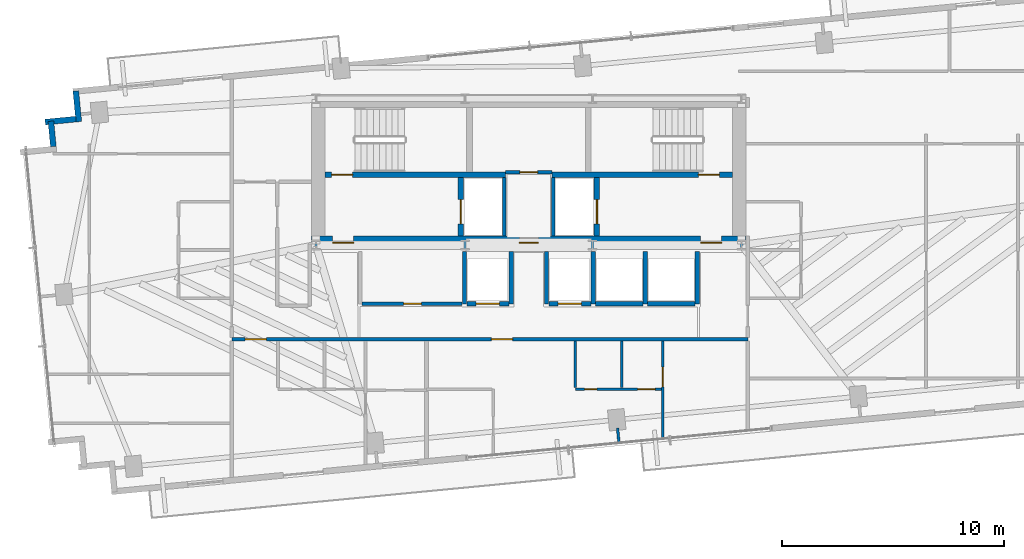
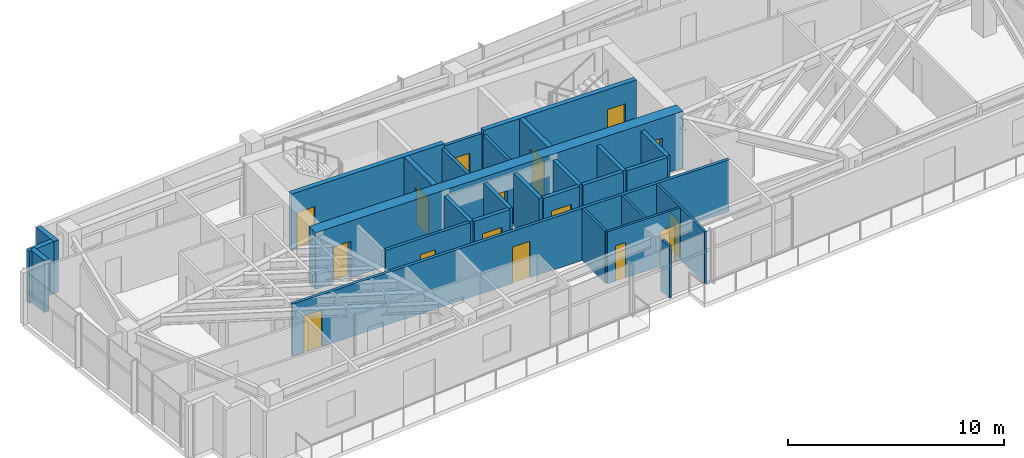
# One storey, part 14 of 18: 28 walls, 16 doors, 16 openings.
"""IFC4 building model written with IfcOpenShell, lengths in metres."""

import ifcopenshell
import ifcopenshell.guid

model = None  # the IFC model being written
_history = None  # IfcOwnerHistory: only IFC2X3 demands one
_inside = {}  # id of a spatial element -> (the spatial element, [elements in it])
_under = {}  # id of a project, library or spatial element -> (it, [spatial elements below it])
_declared = {}  # id of a project -> (the project, [libraries it declares])
_typed = {}  # id of a type object -> (the type object, [elements of that type])
_made_of = {}  # id of a material, layer set ... -> (it, [elements and type objects made of it])


def new_model(schema):
    """Start an empty IFC model of exactly this schema.

    Asked for "IFC4X3", IfcOpenShell would pick the latest addendum, in which some entities
    have other attributes; the version numbers below select the first issue.
    IFC2X3 requires an IfcOwnerHistory on every rooted entity: one is made here for all.
    """
    global model, _history
    if schema == "IFC4X3":
        model = ifcopenshell.file(schema_version=(4, 3, 0, 0))
    else:
        model = ifcopenshell.file(schema=schema)
    _inside.clear()
    _under.clear()
    _declared.clear()
    _typed.clear()
    _made_of.clear()
    _history = None
    if model.schema == "IFC2X3":
        org = make("IfcOrganization", Name="unknown")
        user = make(
            "IfcPersonAndOrganization",
            ThePerson=make("IfcPerson", FamilyName="unknown"),
            TheOrganization=org,
        )
        app = make(
            "IfcApplication",
            ApplicationDeveloper=org,
            Version="unknown",
            ApplicationFullName="unknown",
            ApplicationIdentifier="unknown",
        )
        _history = make(
            "IfcOwnerHistory",
            OwningUser=user,
            OwningApplication=app,
            ChangeAction="ADDED",
            CreationDate=0,
        )
    return model


def make(cls, **values):
    """One entity of the class cls with the attributes given. An attribute that is None is left unset."""
    return model.create_entity(
        cls, **{name: value for name, value in values.items() if value is not None}
    )


def rooted(cls, **values):
    """An entity with a GlobalId (a new one), such as an element, a storey or a relation."""
    return make(cls, GlobalId=ifcopenshell.guid.new(), OwnerHistory=_history, **values)


def si_unit(unit_type, name, prefix=None):
    """IfcSIUnit, for example si_unit("LENGTHUNIT", "METRE", prefix="MILLI")."""
    return make("IfcSIUnit", UnitType=unit_type, Prefix=prefix, Name=name)


def assignment(units):
    """IfcUnitAssignment: the units of a project."""
    return None if units is None else make("IfcUnitAssignment", Units=units)


def point(xyz):
    """IfcCartesianPoint."""
    return None if xyz is None else make("IfcCartesianPoint", Coordinates=xyz)


def direction(xyz):
    """IfcDirection."""
    return None if xyz is None else make("IfcDirection", DirectionRatios=xyz)


def frame(location, z_axis=None, x_axis=None):
    """IfcAxis2Placement3D, a coordinate frame: its origin and axes. An axis left out is left unset."""
    return make(
        "IfcAxis2Placement3D",
        Location=point(location),
        Axis=direction(z_axis),
        RefDirection=direction(x_axis),
    )


def frame_2d(location, x_axis=None):
    """IfcAxis2Placement2D, a coordinate frame in the plane: its origin and x axis."""
    return make(
        "IfcAxis2Placement2D", Location=point(location), RefDirection=direction(x_axis)
    )


def origin():
    """The frame at (0, 0, 0) with its axes left unset."""
    return frame((0.0, 0.0, 0.0))


def place(relative_to, where):
    """IfcLocalPlacement: puts the frame where relative to a parent placement (None: the world)."""
    return make(
        "IfcLocalPlacement", PlacementRelTo=relative_to, RelativePlacement=where
    )


def context(
    kind, dimensions, precision=None, world=None, true_north=None, identifier=None
):
    """IfcGeometricRepresentationContext, for example the 3D "Model" context."""
    return make(
        "IfcGeometricRepresentationContext",
        ContextIdentifier=identifier,
        ContextType=kind,
        CoordinateSpaceDimension=dimensions,
        Precision=precision,
        WorldCoordinateSystem=world,
        TrueNorth=true_north,
    )


def subcontext(parent, identifier, kind, view, scale=None):
    """IfcGeometricRepresentationSubContext, for example "Body" below "Model"."""
    return make(
        "IfcGeometricRepresentationSubContext",
        ContextIdentifier=identifier,
        ContextType=kind,
        ParentContext=parent,
        TargetScale=scale,
        TargetView=view,
    )


def project(units=None, contexts=None):
    """IfcProject with its units and contexts."""
    return rooted(
        "IfcProject",
        Name="project",
        RepresentationContexts=contexts,
        UnitsInContext=assignment(units),
    )


def spatial(cls, under=None, at=None, **own):
    """A site, building, storey or space (cls), placed at a placement, below another one or the project."""
    s = rooted(cls, ObjectPlacement=at, **own)
    if under is not None:
        _under.setdefault(under.id(), (under, []))[1].append(s)
    return s


def profile(cls, at=None, kind="AREA", **sizes):
    """A parametric profile (cls). Its sizes go by their IFC names, for example OverallWidth=200.0."""
    return make(cls, ProfileType=kind, Position=at, **sizes)


def rectangle(**sizes):
    """IfcRectangleProfileDef."""
    return profile("IfcRectangleProfileDef", **sizes)


def extrude(swept, where, along, depth):
    """IfcExtrudedAreaSolid: the profile swept, set in the frame where, extruded along a direction by depth."""
    return make(
        "IfcExtrudedAreaSolid",
        SweptArea=swept,
        Position=where,
        ExtrudedDirection=direction(along),
        Depth=depth,
    )


def shape(context_of_items, identifier, shape_type, items):
    """IfcShapeRepresentation: the items that make up one representation, for example the "Body"."""
    return make(
        "IfcShapeRepresentation",
        ContextOfItems=context_of_items,
        RepresentationIdentifier=identifier,
        RepresentationType=shape_type,
        Items=items,
    )


def source(mapping_origin, context_of_items, identifier, shape_type, items):
    """IfcRepresentationMap: a shape defined once, which mapped items show again and again."""
    return make(
        "IfcRepresentationMap",
        MappingOrigin=mapping_origin,
        MappedRepresentation=shape(context_of_items, identifier, shape_type, items),
    )


def transform(
    local_origin,
    x_axis=None,
    y_axis=None,
    z_axis=None,
    scale=None,
    scale2=None,
    scale3=None,
    uniform=True,
):
    """IfcCartesianTransformationOperator3D, or its non-uniform kind. x_axis, y_axis, z_axis: its Axis1, 2, 3."""
    if uniform:
        return make(
            "IfcCartesianTransformationOperator3D",
            Axis1=direction(x_axis),
            Axis2=direction(y_axis),
            LocalOrigin=point(local_origin),
            Scale=scale,
            Axis3=direction(z_axis),
        )
    return make(
        "IfcCartesianTransformationOperator3DnonUniform",
        Axis1=direction(x_axis),
        Axis2=direction(y_axis),
        LocalOrigin=point(local_origin),
        Scale=scale,
        Axis3=direction(z_axis),
        Scale2=scale2,
        Scale3=scale3,
    )


def mapped(mapping_source, mapping_target):
    """IfcMappedItem: shows the shape of a source again, moved by a transform."""
    return make(
        "IfcMappedItem", MappingSource=mapping_source, MappingTarget=mapping_target
    )


def material(Name=None, Category=None):
    """IfcMaterial."""
    return make("IfcMaterial", Name=Name, Category=Category)


def layer(
    of_material, thickness, ventilated=None, Name=None, Category=None, Priority=None
):
    """IfcMaterialLayer: one layer of a wall or slab, of a material (None: an air gap)."""
    return make(
        "IfcMaterialLayer",
        Material=of_material,
        LayerThickness=thickness,
        IsVentilated=ventilated,
        Name=Name,
        Category=Category,
        Priority=Priority,
    )


def layer_set(layers, Name=None):
    """IfcMaterialLayerSet."""
    return make("IfcMaterialLayerSet", MaterialLayers=layers, LayerSetName=Name)


def made_of(thing, what):
    """Note that an element or type object is made of a material, layer set ...; save() writes the relation."""
    if what is not None:
        _made_of.setdefault(what.id(), (what, []))[1].append(thing)
    return thing


def type_object(cls, material=None, **own):
    """A type object (cls), such as IfcWallType, which elements share."""
    return made_of(rooted(cls, **own), material)


def type_shapes(of_type, sources):
    """Give a type object the sources (RepresentationMaps) that its elements show as mapped items."""
    of_type.RepresentationMaps = sources


def element(
    cls,
    number,
    at=None,
    inside=None,
    cuts=None,
    type_object=None,
    material=None,
    context=None,
    identifier="Body",
    shape_type=None,
    held_by="IfcProductDefinitionShape",
    body=None,
    shapes=None,
    **own,
):
    """One element of the class cls, such as IfcWall. Its Tag is "e" and its number.

    at: its placement. inside: the storey or other place that contains it. cuts: it is an
    opening in that element (IfcRelVoidsElement). A single representation is given by context,
    identifier, shape_type and body (its items); several are given by shapes. held_by: the class
    of the entity that holds the representations. save() writes the other relations.
    """
    e = rooted(cls, Tag="e%d" % number, ObjectPlacement=at, **own)
    if body is not None:
        shapes = [shape(context, identifier, shape_type, body)]
    if shapes is not None:
        e.Representation = make(held_by, Representations=shapes)
    if inside is not None:
        _inside.setdefault(inside.id(), (inside, []))[1].append(e)
    if cuts is not None:
        rooted(
            "IfcRelVoidsElement", RelatingBuildingElement=cuts, RelatedOpeningElement=e
        )
    if type_object is not None:
        _typed.setdefault(type_object.id(), (type_object, []))[1].append(e)
    return made_of(e, material)


def fill(opening, filler):
    """IfcRelFillsElement: the door or window that sits in an opening."""
    return rooted(
        "IfcRelFillsElement",
        RelatingOpeningElement=opening,
        RelatedBuildingElement=filler,
    )


def aggregate(whole, parts):
    """IfcRelAggregates: a whole, such as a stair, and the parts it consists of."""
    return rooted("IfcRelAggregates", RelatingObject=whole, RelatedObjects=parts)


def save(model, path):
    """Write the relations noted so far, then the file.

    IfcRelAggregates (storeys below a building ...), IfcRelContainedInSpatialStructure (elements
    in a storey), IfcRelDefinesByType, IfcRelAssociatesMaterial and IfcRelDeclares: one each for
    every whole, place, type object, material and project.
    """
    for whole, parts in _under.values():
        aggregate(whole, parts)
    for where, things in _inside.values():
        rooted(
            "IfcRelContainedInSpatialStructure",
            RelatedElements=things,
            RelatingStructure=where,
        )
    for kind, things in _typed.values():
        rooted("IfcRelDefinesByType", RelatedObjects=things, RelatingType=kind)
    for what, things in _made_of.values():
        rooted("IfcRelAssociatesMaterial", RelatedObjects=things, RelatingMaterial=what)
    for by, libraries in _declared.values():
        rooted("IfcRelDeclares", RelatingContext=by, RelatedDefinitions=libraries)
    model.write(path)


model = new_model("IFC4")

# Units and contexts
model_context = context("Model", 3, precision=1e-05, world=origin(), true_north=direction((0.0, 1.0)))
body_context = subcontext(model_context, "Body", "Model", "MODEL_VIEW")
ifc_project = project(units=[si_unit("LENGTHUNIT", "METRE"), si_unit("AREAUNIT", "SQUARE_METRE"), si_unit("VOLUMEUNIT", "CUBIC_METRE"), si_unit("PLANEANGLEUNIT", "RADIAN"), si_unit("MASSUNIT", "GRAM", prefix="KILO")], contexts=[model_context])

# Site, building, storey
site_placement = place(None, origin())
site = spatial("IfcSite", under=ifc_project, at=site_placement, CompositionType="ELEMENT")
building_placement = place(site_placement, origin())
building = spatial("IfcBuilding", under=site, at=building_placement, Name="Astriad Promenade Condominiums", CompositionType="ELEMENT")
storey_placement = place(building_placement, frame((0.0, 0.0, 176.199951171875)))
storey = spatial("IfcBuildingStorey", under=building, at=storey_placement, Name="L50", CompositionType="ELEMENT", Elevation=176.199951171875)

# Wall, openings, doors
ifc_material_1 = material(Name="Concrete C50/60", Category="concrete")
ifc_layer_1 = layer(ifc_material_1, 0.60009765625)
ifc_layer_set_1 = layer_set([ifc_layer_1], Name="Concrete C50/60")
wall_type_1 = type_object("IfcWallType", Name="CW-SHEAR-600", PredefinedType="SHEAR", material=ifc_layer_set_1)
wall_1_placement = place(storey_placement, frame((26.199951171875, 17.5, 0.0), z_axis=(0.0, 0.0, 1.0), x_axis=(1.0, 0.0, 0.0)))
wall_1 = element("IfcWall", 1, at=wall_1_placement, inside=storey, type_object=wall_type_1, Name="CW-CORE-S-L50", PredefinedType="SHEAR", context=body_context, shape_type="SweptSolid", body=[
    extrude(rectangle(XDim=19.60009765625, YDim=0.60009765625, at=frame_2d((9.800048828125, 0.0))), origin(), (0.0, 0.0, 1.0), 3.199951171875),
])
opening_1_placement = place(wall_1_placement, frame((0.949951171875, 0.0, 0.0)))
opening_1 = element("IfcOpeningElement", 2, at=opening_1_placement, cuts=wall_1, Name="Opening FD90-ST-095", PredefinedType="OPENING", context=body_context, shape_type="SweptSolid", body=[
    extrude(rectangle(XDim=0.949951171875, YDim=2.06005859375, at=frame_2d((0.47509765625, 1.030029296875))), frame((0.0, 0.31005859375, 0.0), z_axis=(0.0, -1.0, 0.0), x_axis=(1.0, 0.0, 0.0)), (0.0, 0.0, 1.0), 0.6201171875),
])
opening_2_placement = place(wall_1_placement, frame((9.3798828125, 0.0, 0.0)))
opening_2 = element("IfcOpeningElement", 3, at=opening_2_placement, cuts=wall_1, Name="Opening FD60-ULOW-085", PredefinedType="OPENING", context=body_context, shape_type="SweptSolid", body=[
    extrude(rectangle(XDim=0.85009765625, YDim=2.0, at=frame_2d((0.425048828125, 1.0))), frame((0.0, 0.31005859375, 0.0), z_axis=(0.0, -1.0, 0.0), x_axis=(1.0, 0.0, 0.0)), (0.0, 0.0, 1.0), 0.6201171875),
])
opening_3_placement = place(wall_1_placement, frame((17.550048828125, 0.0, 0.0)))
opening_3 = element("IfcOpeningElement", 4, at=opening_3_placement, cuts=wall_1, Name="Opening FD90-ST-095", PredefinedType="OPENING", context=body_context, shape_type="SweptSolid", body=[
    extrude(rectangle(XDim=0.949951171875, YDim=2.06005859375, at=frame_2d((0.47509765625, 1.030029296875))), frame((0.0, 0.31005859375, 0.0), z_axis=(0.0, -1.0, 0.0), x_axis=(1.0, 0.0, 0.0)), (0.0, 0.0, 1.0), 0.6201171875),
])
ifc_material_2 = material(Name="Fire-Rated Hollow Metal Stair Door")
door_type_1 = type_object("IfcDoorType", Name="FD90-ST-095", OperationType="NOTDEFINED", PredefinedType="DOOR", material=ifc_material_2)
shared_shape_1 = source(origin(), body_context, "Body", "SweptSolid", [
    extrude(rectangle(XDim=0.949951171875, YDim=2.06005859375, at=frame_2d((0.47509765625, 1.030029296875))), frame((0.0, 0.02490234375, 0.0), z_axis=(0.0, -1.0, 0.0), x_axis=(1.0, 0.0, 0.0)), (0.0, 0.0, 1.0), 0.050048828125),
])
type_shapes(door_type_1, [shared_shape_1])
door_1_placement = place(opening_1_placement, origin())
door_1 = element("IfcDoor", 5, at=door_1_placement, inside=storey, type_object=door_type_1, Name="D-FFW-L50", OperationType="SINGLE_SWING_LEFT", OverallHeight=2.06005859375, OverallWidth=0.949951171875, PredefinedType="DOOR", context=body_context, shape_type="MappedRepresentation", body=[
    mapped(shared_shape_1, transform((0.0, 0.0, 0.0), scale=1.0)),
])
fill(opening_1, door_1)
door_2_placement = place(opening_3_placement, origin())
door_2 = element("IfcDoor", 6, at=door_2_placement, inside=storey, type_object=door_type_1, Name="D-FFE-L50", OperationType="SINGLE_SWING_RIGHT", OverallHeight=2.06005859375, OverallWidth=0.949951171875, PredefinedType="DOOR", context=body_context, shape_type="MappedRepresentation", body=[
    mapped(shared_shape_1, transform((0.0, 0.0, 0.0), scale=1.0)),
])
fill(opening_3, door_2)
ifc_material_3 = material(Name="Solid-Core Low-Headroom Fire Door")
door_type_2 = type_object("IfcDoorType", Name="FD60-ULOW-085", OperationType="NOTDEFINED", PredefinedType="DOOR", material=ifc_material_3)
shared_shape_2 = source(origin(), body_context, "Body", "SweptSolid", [
    extrude(rectangle(XDim=0.85009765625, YDim=2.0, at=frame_2d((0.425048828125, 1.0))), frame((0.0, 0.02490234375, 0.0), z_axis=(0.0, -1.0, 0.0), x_axis=(1.0, 0.0, 0.0)), (0.0, 0.0, 1.0), 0.050048828125),
])
type_shapes(door_type_2, [shared_shape_2])
door_3_placement = place(opening_2_placement, origin())
door_3 = element("IfcDoor", 7, at=door_3_placement, inside=storey, type_object=door_type_2, Name="D-CSL-L50", OperationType="SINGLE_SWING_RIGHT", OverallHeight=2.0, OverallWidth=0.85009765625, PredefinedType="DOOR", context=body_context, shape_type="MappedRepresentation", body=[
    mapped(shared_shape_2, transform((0.0, 0.0, 0.0), scale=1.0)),
])
fill(opening_2, door_3)

# Wall, opening, door
ifc_layer_2 = layer(ifc_material_1, 0.25)
ifc_layer_set_2 = layer_set([ifc_layer_2], Name="Concrete C50/60")
wall_type_2 = type_object("IfcWallType", Name="WALL-CORE-INT-250", PredefinedType="SOLIDWALL", material=ifc_layer_set_2)
wall_2_placement = place(storey_placement, frame((26.802001953125, 20.574951171875, 0.0), z_axis=(0.0, 0.0, 1.0), x_axis=(1.0, 0.0, 0.0)))
wall_2 = element("IfcWall", 8, at=wall_2_placement, inside=storey, type_object=wall_type_2, Name="CW-INT-H1-L50", PredefinedType="SOLIDWALL", context=body_context, shape_type="SweptSolid", body=[
    extrude(rectangle(XDim=8.14794921875, YDim=0.25, at=frame_2d((4.073974609375, 0.0))), origin(), (0.0, 0.0, 1.0), 3.199951171875),
])
opening_4_placement = place(wall_2_placement, frame((0.298095703125, 0.0, 0.0)))
opening_4 = element("IfcOpeningElement", 9, at=opening_4_placement, cuts=wall_2, Name="Opening FD90-ST-095", PredefinedType="OPENING", context=body_context, shape_type="SweptSolid", body=[
    extrude(rectangle(XDim=0.949951171875, YDim=2.06005859375, at=frame_2d((0.47509765625, 1.030029296875))), frame((0.0, 0.135009765625, 0.0), z_axis=(0.0, -1.0, 0.0), x_axis=(1.0, 0.0, 0.0)), (0.0, 0.0, 1.0), 0.27001953125),
])
door_4_placement = place(opening_4_placement, origin())
door_4 = element("IfcDoor", 10, at=door_4_placement, inside=storey, type_object=door_type_1, Name="D-ST1-L50", OperationType="SINGLE_SWING_LEFT", OverallHeight=2.06005859375, OverallWidth=0.949951171875, PredefinedType="DOOR", context=body_context, shape_type="MappedRepresentation", body=[
    mapped(shared_shape_1, transform((0.0, 0.0, 0.0), scale=1.0)),
])
fill(opening_4, door_4)

wall_3_placement = place(storey_placement, frame((37.050048828125, 20.574951171875, 0.0), z_axis=(0.0, 0.0, 1.0), x_axis=(1.0, 0.0, 0.0)))
wall_3 = element("IfcWall", 11, at=wall_3_placement, inside=storey, type_object=wall_type_2, Name="CW-INT-H2-L50", PredefinedType="SOLIDWALL", context=body_context, shape_type="SweptSolid", body=[
    extrude(rectangle(XDim=8.14794921875, YDim=0.25, at=frame_2d((4.073974609375, 0.0))), origin(), (0.0, 0.0, 1.0), 3.199951171875),
])
opening_5_placement = place(wall_3_placement, frame((6.60009765625, 0.0, 0.0)))
opening_5 = element("IfcOpeningElement", 12, at=opening_5_placement, cuts=wall_3, Name="Opening FD90-ST-095", PredefinedType="OPENING", context=body_context, shape_type="SweptSolid", body=[
    extrude(rectangle(XDim=0.949951171875, YDim=2.06005859375, at=frame_2d((0.47509765625, 1.030029296875))), frame((0.0, 0.135009765625, 0.0), z_axis=(0.0, -1.0, 0.0), x_axis=(1.0, 0.0, 0.0)), (0.0, 0.0, 1.0), 0.27001953125),
])
door_5_placement = place(opening_5_placement, origin())
door_5 = element("IfcDoor", 13, at=door_5_placement, inside=storey, type_object=door_type_1, Name="D-ST2-L50", OperationType="SINGLE_SWING_RIGHT", OverallHeight=2.06005859375, OverallWidth=0.949951171875, PredefinedType="DOOR", context=body_context, shape_type="MappedRepresentation", body=[
    mapped(shared_shape_1, transform((0.0, 0.0, 0.0), scale=1.0)),
])
fill(opening_5, door_5)

wall_4_placement = place(storey_placement, frame((32.925048828125, 17.802001953125, 0.0), z_axis=(0.0, 0.0, 1.0), x_axis=(0.0, 1.0, 0.0)))
wall_4 = element("IfcWall", 14, at=wall_4_placement, inside=storey, type_object=wall_type_2, Name="CW-FFL1-W-L50", PredefinedType="SOLIDWALL", context=body_context, shape_type="SweptSolid", body=[
    extrude(rectangle(XDim=2.64599609375, YDim=0.25, at=frame_2d((1.322998046875, 0.0))), origin(), (0.0, 0.0, 1.0), 3.199951171875),
])
opening_6_placement = place(wall_4_placement, frame((0.548095703125, 0.0, 0.0)))
opening_6 = element("IfcOpeningElement", 15, at=opening_6_placement, cuts=wall_4, Name="Opening LD-FFL-1122", PredefinedType="OPENING", context=body_context, shape_type="SweptSolid", body=[
    extrude(rectangle(XDim=1.10009765625, YDim=2.080078125, at=frame_2d((0.550048828125, 1.0400390625))), frame((0.0, 0.135009765625, 0.0), z_axis=(0.0, -1.0, 0.0), x_axis=(1.0, 0.0, 0.0)), (0.0, 0.0, 1.0), 0.27001953125),
])
ifc_material_4 = material(Name="Brushed Stainless Steel Fire Elevator Landing Door", Category="steel")
door_type_3 = type_object("IfcDoorType", Name="LD-FFL-1122", OperationType="NOTDEFINED", PredefinedType="DOOR", material=ifc_material_4)
shared_shape_3 = source(origin(), body_context, "Body", "SweptSolid", [
    extrude(rectangle(XDim=1.10009765625, YDim=2.080078125, at=frame_2d((0.550048828125, 1.0400390625))), frame((0.0, 0.02490234375, 0.0), z_axis=(0.0, -1.0, 0.0), x_axis=(1.0, 0.0, 0.0)), (0.0, 0.0, 1.0), 0.050048828125),
])
type_shapes(door_type_3, [shared_shape_3])
door_6_placement = place(opening_6_placement, origin())
door_6 = element("IfcDoor", 16, at=door_6_placement, inside=storey, type_object=door_type_3, Name="Elevator Landing Door FFL-1 (L50)", OperationType="SLIDING_TO_LEFT", OverallHeight=2.080078125, OverallWidth=1.10009765625, PredefinedType="DOOR", context=body_context, shape_type="MappedRepresentation", body=[
    mapped(shared_shape_3, transform((0.0, 0.0, 0.0), scale=1.0)),
])
fill(opening_6, door_6)

wall_5_placement = place(storey_placement, frame((39.074951171875, 17.802001953125, 0.0), z_axis=(0.0, 0.0, 1.0), x_axis=(0.0, 1.0, 0.0)))
wall_5 = element("IfcWall", 17, at=wall_5_placement, inside=storey, type_object=wall_type_2, Name="CW-FFL2-E-L50", PredefinedType="SOLIDWALL", context=body_context, shape_type="SweptSolid", body=[
    extrude(rectangle(XDim=2.64599609375, YDim=0.25, at=frame_2d((1.322998046875, 0.0))), origin(), (0.0, 0.0, 1.0), 3.199951171875),
])
opening_7_placement = place(wall_5_placement, frame((0.548095703125, 0.0, 0.0)))
opening_7 = element("IfcOpeningElement", 18, at=opening_7_placement, cuts=wall_5, Name="Opening LD-FFL-1122", PredefinedType="OPENING", context=body_context, shape_type="SweptSolid", body=[
    extrude(rectangle(XDim=1.10009765625, YDim=2.080078125, at=frame_2d((0.550048828125, 1.0400390625))), frame((0.0, 0.135009765625, 0.0), z_axis=(0.0, -1.0, 0.0), x_axis=(1.0, 0.0, 0.0)), (0.0, 0.0, 1.0), 0.27001953125),
])
door_7_placement = place(opening_7_placement, origin())
door_7 = element("IfcDoor", 19, at=door_7_placement, inside=storey, type_object=door_type_3, Name="Elevator Landing Door FFL-2 (L50)", OperationType="SLIDING_TO_RIGHT", OverallHeight=2.080078125, OverallWidth=1.10009765625, PredefinedType="DOOR", context=body_context, shape_type="MappedRepresentation", body=[
    mapped(shared_shape_3, transform((0.0, 0.0, 0.0), scale=1.0)),
])
fill(opening_7, door_7)

# Walls
ifc_material_5 = material(Name="Fire-Rated Gypsum Partition")
ifc_layer_3 = layer(ifc_material_5, 0.159912109375)
ifc_layer_set_3 = layer_set([ifc_layer_3], Name="Fire-Rated Gypsum Partition")
wall_type_3 = type_object("IfcWallType", Name="WALL-CORR-160", PredefinedType="PARTITIONING", material=ifc_layer_set_3)
for number, where, z_axis, x_axis, name in (
    (20, (34.89990234375, 17.802001953125, 0.0), (0.0, 0.0, 1.0), (0.0, 1.0, 0.0), "CW-FFL1-E-L50"),
    (21, (37.10009765625, 17.802001953125, 0.0), (0.0, 0.0, 1.0), (0.0, 1.0, 0.0), "CW-FFL2-W-L50"),
):
    element("IfcWall", number, at=place(storey_placement, frame(where, z_axis=z_axis, x_axis=x_axis)), inside=storey, type_object=wall_type_3, Name=name, PredefinedType="PARTITIONING", context=body_context, shape_type="SweptSolid", body=[
        extrude(rectangle(XDim=2.64599609375, YDim=0.159912109375, at=frame_2d((1.322998046875, 0.0))), origin(), (0.0, 0.0, 1.0), 2.93994140625),
    ])

# Wall, opening, door
wall_6_placement = place(storey_placement, frame((34.949951171875, 20.68994140625, 0.0), z_axis=(0.0, 0.0, 1.0), x_axis=(1.0, 0.0, 0.0)))
wall_6 = element("IfcWall", 22, at=wall_6_placement, inside=storey, type_object=wall_type_3, Name="CW-AUX-S-L50", PredefinedType="PARTITIONING", context=body_context, shape_type="SweptSolid", body=[
    extrude(rectangle(XDim=2.10009765625, YDim=0.159912109375, at=frame_2d((1.050048828125, 0.0))), origin(), (0.0, 0.0, 1.0), 2.93994140625),
])
opening_8_placement = place(wall_6_placement, frame((0.64990234375, 0.0, 0.0)))
opening_8 = element("IfcOpeningElement", 23, at=opening_8_placement, cuts=wall_6, Name="Opening FD60-SV-080", PredefinedType="OPENING", context=body_context, shape_type="SweptSolid", body=[
    extrude(rectangle(XDim=0.800048828125, YDim=2.050048828125, at=frame_2d((0.39990234375, 1.02490234375))), frame((0.0, 0.08984375, 0.0), z_axis=(0.0, -1.0, 0.0), x_axis=(1.0, 0.0, 0.0)), (0.0, 0.0, 1.0), 0.179931640625),
])
ifc_material_6 = material(Name="Fire-Rated Riser Closet Door")
door_type_4 = type_object("IfcDoorType", Name="FD60-SV-080", OperationType="NOTDEFINED", PredefinedType="DOOR", material=ifc_material_6)
shared_shape_4 = source(origin(), body_context, "Body", "SweptSolid", [
    extrude(rectangle(XDim=0.800048828125, YDim=2.050048828125, at=frame_2d((0.39990234375, 1.02490234375))), frame((0.0, 0.02490234375, 0.0), z_axis=(0.0, -1.0, 0.0), x_axis=(1.0, 0.0, 0.0)), (0.0, 0.0, 1.0), 0.050048828125),
])
type_shapes(door_type_4, [shared_shape_4])
door_8_placement = place(opening_8_placement, origin())
door_8 = element("IfcDoor", 24, at=door_8_placement, inside=storey, type_object=door_type_4, Name="D-AUX1-L50", OperationType="SINGLE_SWING_LEFT", OverallHeight=2.050048828125, OverallWidth=0.800048828125, PredefinedType="DOOR", context=body_context, shape_type="MappedRepresentation", body=[
    mapped(shared_shape_4, transform((0.0, 0.0, 0.0), scale=1.0)),
])
fill(opening_8, door_8)

wall_7_placement = place(storey_placement, frame((28.48193359375, 14.75, 0.0), z_axis=(0.0, 0.0, 1.0), x_axis=(1.0, 0.0, 0.0)))
wall_7 = element("IfcWall", 25, at=wall_7_placement, inside=storey, type_object=wall_type_3, Name="REC-L-S-L50", PredefinedType="PARTITIONING", context=body_context, shape_type="SweptSolid", body=[
    extrude(rectangle(XDim=4.51611328125, YDim=0.159912109375, at=frame_2d((2.258056640625, 0.0))), origin(), (0.0, 0.0, 1.0), 2.93994140625),
])
opening_9_placement = place(wall_7_placement, frame((1.867919921875, 0.0, 0.0)))
opening_9 = element("IfcOpeningElement", 26, at=opening_9_placement, cuts=wall_7, Name="Opening FD60-SV-080", PredefinedType="OPENING", context=body_context, shape_type="SweptSolid", body=[
    extrude(rectangle(XDim=0.800048828125, YDim=2.050048828125, at=frame_2d((0.39990234375, 1.02490234375))), frame((0.0, 0.08984375, 0.0), z_axis=(0.0, -1.0, 0.0), x_axis=(1.0, 0.0, 0.0)), (0.0, 0.0, 1.0), 0.179931640625),
])
door_9_placement = place(opening_9_placement, origin())
door_9 = element("IfcDoor", 27, at=door_9_placement, inside=storey, type_object=door_type_4, Name="D-RECL-L50", OperationType="SINGLE_SWING_RIGHT", OverallHeight=2.050048828125, OverallWidth=0.800048828125, PredefinedType="DOOR", context=body_context, shape_type="MappedRepresentation", body=[
    mapped(shared_shape_4, transform((0.0, 0.0, 0.0), scale=1.0)),
])
fill(opening_9, door_9)

# Wall, openings, doors
wall_8_placement = place(storey_placement, frame((22.60009765625, 13.14990234375, 0.0), z_axis=(0.0, 0.0, 1.0), x_axis=(1.0, 0.0, 0.0)))
wall_8 = element("IfcWall", 28, at=wall_8_placement, inside=storey, type_object=wall_type_3, Name="PT-COR-S-L50", PredefinedType="PARTITIONING", context=body_context, shape_type="SweptSolid", body=[
    extrude(rectangle(XDim=23.27978515625, YDim=0.159912109375, at=frame_2d((11.639892578125, 0.0))), origin(), (0.0, 0.0, 1.0), 2.93994140625),
])
opening_10_placement = place(wall_8_placement, frame((0.60693359375, 0.0, 0.0)))
opening_10 = element("IfcOpeningElement", 29, at=opening_10_placement, cuts=wall_8, Name="Opening FD60-APT-095", PredefinedType="OPENING", context=body_context, shape_type="SweptSolid", body=[
    extrude(rectangle(XDim=0.949951171875, YDim=2.06005859375, at=frame_2d((0.47509765625, 1.030029296875))), frame((0.0, 0.08984375, 0.0), z_axis=(0.0, -1.0, 0.0), x_axis=(1.0, 0.0, 0.0)), (0.0, 0.0, 1.0), 0.179931640625),
])
opening_11_placement = place(wall_8_placement, frame((11.717041015625, 0.0, 0.0)))
opening_11 = element("IfcOpeningElement", 30, at=opening_11_placement, cuts=wall_8, Name="Opening FD60-APT-095", PredefinedType="OPENING", context=body_context, shape_type="SweptSolid", body=[
    extrude(rectangle(XDim=0.949951171875, YDim=2.06005859375, at=frame_2d((0.47509765625, 1.030029296875))), frame((0.0, 0.08984375, 0.0), z_axis=(0.0, -1.0, 0.0), x_axis=(1.0, 0.0, 0.0)), (0.0, 0.0, 1.0), 0.179931640625),
])
ifc_material_7 = material(Name="Solid-Core Acoustic Timber Residence Entry Door", Category="wood")
door_type_5 = type_object("IfcDoorType", Name="FD60-APT-095", OperationType="NOTDEFINED", PredefinedType="DOOR", material=ifc_material_7)
shared_shape_5 = source(origin(), body_context, "Body", "SweptSolid", [
    extrude(rectangle(XDim=0.949951171875, YDim=2.06005859375, at=frame_2d((0.47509765625, 1.030029296875))), frame((0.0, 0.02490234375, 0.0), z_axis=(0.0, -1.0, 0.0), x_axis=(1.0, 0.0, 0.0)), (0.0, 0.0, 1.0), 0.050048828125),
])
type_shapes(door_type_5, [shared_shape_5])
door_10_placement = place(opening_10_placement, origin())
door_10 = element("IfcDoor", 31, at=door_10_placement, inside=storey, type_object=door_type_5, Name="D-ENT-L50-S1", OperationType="SINGLE_SWING_RIGHT", OverallHeight=2.06005859375, OverallWidth=0.949951171875, PredefinedType="DOOR", context=body_context, shape_type="MappedRepresentation", body=[
    mapped(shared_shape_5, transform((0.0, 0.0, 0.0), scale=1.0)),
])
fill(opening_10, door_10)
door_11_placement = place(opening_11_placement, origin())
door_11 = element("IfcDoor", 32, at=door_11_placement, inside=storey, type_object=door_type_5, Name="D-ENT-L50-S2", OperationType="SINGLE_SWING_LEFT", OverallHeight=2.06005859375, OverallWidth=0.949951171875, PredefinedType="DOOR", context=body_context, shape_type="MappedRepresentation", body=[
    mapped(shared_shape_5, transform((0.0, 0.0, 0.0), scale=1.0)),
])
fill(opening_11, door_11)

# Walls
ifc_material_8 = material(Name="Precast concrete C50/60", Category="concrete")
ifc_layer_4 = layer(ifc_material_8, 0.260009765625)
ifc_layer_set_4 = layer_set([ifc_layer_4], Name="Precast concrete C50/60")
wall_type_4 = type_object("IfcWallType", Name="WALL-EXT-TWR-260", PredefinedType="STANDARD", material=ifc_layer_set_4)
wall_9_placement = place(storey_placement, frame((14.55029296875, 21.842529296875, 0.0), z_axis=(0.0, 0.0, 1.0), x_axis=(-0.09576095695, 0.995404359607, 0.0)))
element("IfcWall", 33, at=wall_9_placement, inside=storey, type_object=wall_type_4, Name="W-SER-L50-05", PredefinedType="STANDARD", context=body_context, shape_type="SweptSolid", body=[
    extrude(rectangle(XDim=1.14990234375, YDim=0.260009765625, at=frame_2d((0.574951171875, 0.0))), origin(), (0.0, 0.0, 1.0), 2.93994140625),
])
wall_10_placement = place(storey_placement, frame((14.182861328125, 22.947265625, 0.0), z_axis=(0.0, 0.0, 1.0), x_axis=(0.99540614245, 0.095742423056, 0.0)))
element("IfcWall", 34, at=wall_10_placement, inside=storey, type_object=wall_type_4, Name="W-SER-L50-06", PredefinedType="STANDARD", context=body_context, shape_type="SweptSolid", body=[
    extrude(rectangle(XDim=1.394775390625, YDim=0.260009765625, at=frame_2d((0.697265625, 0.0))), origin(), (0.0, 0.0, 1.0), 2.93994140625),
])
wall_11_placement = place(storey_placement, frame((15.6982421875, 22.962646484375, 0.0), z_axis=(0.0, 0.0, 1.0), x_axis=(-0.09589913835, 0.995391056452, 0.0)))
element("IfcWall", 35, at=wall_11_placement, inside=storey, type_object=wall_type_4, Name="W-SER-L50-07", PredefinedType="STANDARD", context=body_context, shape_type="SweptSolid", body=[
    extrude(rectangle(XDim=1.39501953125, YDim=0.260009765625, at=frame_2d((0.697509765625, 0.0))), origin(), (0.0, 0.0, 1.0), 2.93994140625),
])

# Wall, opening, door
ifc_material_9 = material(Name="Acoustic Metal-Stud Gypsum Partition")
ifc_layer_5 = layer(ifc_material_9, 0.1201171875)
ifc_layer_set_5 = layer_set([ifc_layer_5], Name="Acoustic Metal-Stud Gypsum Partition")
wall_type_5 = type_object("IfcWallType", Name="WALL-PART-120", PredefinedType="PARTITIONING", material=ifc_layer_set_5)
wall_12_placement = place(storey_placement, frame((42.050048828125, 8.6123046875, 0.0), z_axis=(0.0, 0.0, 1.0), x_axis=(0.0, 1.0, 0.0)))
wall_12 = element("IfcWall", 36, at=wall_12_placement, inside=storey, type_object=wall_type_5, Name="PT-L50-S2-BD1", PredefinedType="PARTITIONING", context=body_context, shape_type="SweptSolid", body=[
    extrude(rectangle(XDim=4.455810546875, YDim=0.1201171875, at=frame_2d((2.22802734375, 0.0))), origin(), (0.0, 0.0, 1.0), 2.93994140625),
])
opening_12_placement = place(wall_12_placement, frame((2.3857421875, 0.0, 0.0)))
opening_12 = element("IfcOpeningElement", 37, at=opening_12_placement, cuts=wall_12, Name="Opening D-INT-090", PredefinedType="OPENING", context=body_context, shape_type="SweptSolid", body=[
    extrude(rectangle(XDim=0.89990234375, YDim=2.050048828125, at=frame_2d((0.449951171875, 1.02490234375))), frame((0.0, 0.070068359375, 0.0), z_axis=(0.0, -1.0, 0.0), x_axis=(1.0, 0.0, 0.0)), (0.0, 0.0, 1.0), 0.14013671875),
])
ifc_material_10 = material(Name="Painted Solid-Core Timber Bedroom Door", Category="wood")
door_type_6 = type_object("IfcDoorType", Name="D-INT-090", OperationType="NOTDEFINED", PredefinedType="DOOR", material=ifc_material_10)
shared_shape_6 = source(origin(), body_context, "Body", "SweptSolid", [
    extrude(rectangle(XDim=0.89990234375, YDim=2.050048828125, at=frame_2d((0.449951171875, 1.02490234375))), frame((0.0, 0.02490234375, 0.0), z_axis=(0.0, -1.0, 0.0), x_axis=(1.0, 0.0, 0.0)), (0.0, 0.0, 1.0), 0.050048828125),
])
type_shapes(door_type_6, [shared_shape_6])
door_12_placement = place(opening_12_placement, origin())
door_12 = element("IfcDoor", 38, at=door_12_placement, inside=storey, type_object=door_type_6, Name="D-BD1-L50-S2", OperationType="SINGLE_SWING_RIGHT", OverallHeight=2.050048828125, OverallWidth=0.89990234375, PredefinedType="DOOR", context=body_context, shape_type="MappedRepresentation", body=[
    mapped(shared_shape_6, transform((0.0, 0.0, 0.0), scale=1.0)),
])
fill(opening_12, door_12)

# Wall, openings, doors
wall_13_placement = place(storey_placement, frame((38.10009765625, 10.89990234375, 0.0), z_axis=(0.0, 0.0, 1.0), x_axis=(1.0, 0.0, 0.0)))
wall_13 = element("IfcWall", 39, at=wall_13_placement, inside=storey, type_object=wall_type_5, Name="PT-L50-S2-PS", PredefinedType="PARTITIONING", context=body_context, shape_type="SweptSolid", body=[
    extrude(rectangle(XDim=3.887939453125, YDim=0.1201171875, at=frame_2d((1.94384765625, 0.0))), origin(), (0.0, 0.0, 1.0), 2.93994140625),
])
opening_13_placement = place(wall_13_placement, frame((0.419921875, 0.0, 0.0)))
opening_13 = element("IfcOpeningElement", 40, at=opening_13_placement, cuts=wall_13, Name="Opening D-AC-055", PredefinedType="OPENING", context=body_context, shape_type="SweptSolid", body=[
    extrude(rectangle(XDim=0.550048828125, YDim=2.0, at=frame_2d((0.27490234375, 1.0))), frame((0.0, 0.070068359375, 0.0), z_axis=(0.0, -1.0, 0.0), x_axis=(1.0, 0.0, 0.0)), (0.0, 0.0, 1.0), 0.14013671875),
])
opening_14_placement = place(wall_13_placement, frame((2.804931640625, 0.0, 0.0)))
opening_14 = element("IfcOpeningElement", 41, at=opening_14_placement, cuts=wall_13, Name="Opening D-WET-080", PredefinedType="OPENING", context=body_context, shape_type="SweptSolid", body=[
    extrude(rectangle(XDim=0.800048828125, YDim=2.02001953125, at=frame_2d((0.39990234375, 1.010009765625))), frame((0.0, 0.070068359375, 0.0), z_axis=(0.0, -1.0, 0.0), x_axis=(1.0, 0.0, 0.0)), (0.0, 0.0, 1.0), 0.14013671875),
])
ifc_material_11 = material(Name="Moisture-Resistant Timber Bathroom Door", Category="wood")
door_type_7 = type_object("IfcDoorType", Name="D-WET-080", OperationType="NOTDEFINED", PredefinedType="DOOR", material=ifc_material_11)
shared_shape_7 = source(origin(), body_context, "Body", "SweptSolid", [
    extrude(rectangle(XDim=0.800048828125, YDim=2.02001953125, at=frame_2d((0.39990234375, 1.010009765625))), frame((0.0, 0.02490234375, 0.0), z_axis=(0.0, -1.0, 0.0), x_axis=(1.0, 0.0, 0.0)), (0.0, 0.0, 1.0), 0.050048828125),
])
type_shapes(door_type_7, [shared_shape_7])
door_13_placement = place(opening_14_placement, origin())
door_13 = element("IfcDoor", 42, at=door_13_placement, inside=storey, type_object=door_type_7, Name="D-BTH-L50-S2", OperationType="SINGLE_SWING_RIGHT", OverallHeight=2.02001953125, OverallWidth=0.800048828125, PredefinedType="DOOR", context=body_context, shape_type="MappedRepresentation", body=[
    mapped(shared_shape_7, transform((0.0, 0.0, 0.0), scale=1.0)),
])
fill(opening_14, door_13)
ifc_material_12 = material(Name="Painted Timber Access Door", Category="wood")
door_type_8 = type_object("IfcDoorType", Name="D-AC-055", OperationType="NOTDEFINED", PredefinedType="DOOR", material=ifc_material_12)
shared_shape_8 = source(origin(), body_context, "Body", "SweptSolid", [
    extrude(rectangle(XDim=0.550048828125, YDim=2.0, at=frame_2d((0.27490234375, 1.0))), frame((0.0, 0.02490234375, 0.0), z_axis=(0.0, -1.0, 0.0), x_axis=(1.0, 0.0, 0.0)), (0.0, 0.0, 1.0), 0.050048828125),
])
type_shapes(door_type_8, [shared_shape_8])
door_14_placement = place(opening_13_placement, origin())
door_14 = element("IfcDoor", 43, at=door_14_placement, inside=storey, type_object=door_type_8, Name="D-KIT-L50-S2", OperationType="SINGLE_SWING_LEFT", OverallHeight=2.0, OverallWidth=0.550048828125, PredefinedType="DOOR", context=body_context, shape_type="MappedRepresentation", body=[
    mapped(shared_shape_8, transform((0.0, 0.0, 0.0), scale=1.0)),
])
fill(opening_13, door_14)

# Walls
for number, where, z_axis, x_axis, name in (
    (44, (40.199951171875, 10.9619140625, 0.0), (0.0, 0.0, 1.0), (0.0, 1.0, 0.0), "PT-L50-S2-PBK"),
    (45, (38.10009765625, 10.9619140625, 0.0), (0.0, 0.0, 1.0), (0.0, 1.0, 0.0), "PT-L50-S2-PKW"),
):
    element("IfcWall", number, at=place(storey_placement, frame(where, z_axis=z_axis, x_axis=x_axis)), inside=storey, type_object=wall_type_5, Name=name, PredefinedType="PARTITIONING", context=body_context, shape_type="SweptSolid", body=[
        extrude(rectangle(XDim=2.106201171875, YDim=0.1201171875, at=frame_2d((1.05322265625, 0.0))), origin(), (0.0, 0.0, 1.0), 2.93994140625),
    ])
wall_14_placement = place(storey_placement, frame((40.005126953125, 9.138671875, 0.0), z_axis=(0.0, 0.0, 1.0), x_axis=(0.095977354523, -0.995383517755, 0.0)))
element("IfcWall", 46, at=wall_14_placement, inside=storey, type_object=wall_type_5, Name="PT-PIL-L50-PC03-10", PredefinedType="PARTITIONING", context=body_context, shape_type="SweptSolid", body=[
    extrude(rectangle(XDim=0.719970703125, YDim=0.1201171875, at=frame_2d((0.35986328125, 0.0))), origin(), (0.0, 0.0, 1.0), 2.93994140625),
])
ifc_material_13 = material(Name="Gypsum Shaftliner Assembly")
ifc_layer_6 = layer(ifc_material_13, 0.199951171875)
ifc_layer_set_6 = layer_set([ifc_layer_6], Name="Gypsum Shaftliner Assembly")
wall_type_6 = type_object("IfcWallType", Name="WALL-SHAFT-200", PredefinedType="PARTITIONING", material=ifc_layer_set_6)
for number, where, z_axis, x_axis, name in (
    (47, (33.10009765625, 14.75, 0.0), (0.0, 0.0, 1.0), (0.0, 1.0, 0.0), "REC-L-E-L50"),
    (48, (35.199951171875, 14.75, 0.0), (0.0, 0.0, 1.0), (0.0, 1.0, 0.0), "PL-M1-E-L50"),
):
    element("IfcWall", number, at=place(storey_placement, frame(where, z_axis=z_axis, x_axis=x_axis)), inside=storey, type_object=wall_type_6, Name=name, PredefinedType="PARTITIONING", context=body_context, shape_type="SweptSolid", body=[
        extrude(rectangle(XDim=2.35009765625, YDim=0.199951171875, at=frame_2d((1.175048828125, 0.0))), origin(), (0.0, 0.0, 1.0), 2.93994140625),
    ])

# Wall, opening, door
wall_15_placement = place(storey_placement, frame((33.201904296875, 14.75, 0.0), z_axis=(0.0, 0.0, 1.0), x_axis=(1.0, 0.0, 0.0)))
wall_15 = element("IfcWall", 49, at=wall_15_placement, inside=storey, type_object=wall_type_6, Name="PL-M1-F-L50", PredefinedType="PARTITIONING", context=body_context, shape_type="SweptSolid", body=[
    extrude(rectangle(XDim=1.89599609375, YDim=0.199951171875, at=frame_2d((0.947998046875, 0.0))), origin(), (0.0, 0.0, 1.0), 2.93994140625),
])
opening_15_placement = place(wall_15_placement, frame((0.423095703125, 0.0, 0.0)))
opening_15 = element("IfcOpeningElement", 50, at=opening_15_placement, cuts=wall_15, Name="Opening LD-PL-10522", PredefinedType="OPENING", context=body_context, shape_type="SweptSolid", body=[
    extrude(rectangle(XDim=1.050048828125, YDim=2.080078125, at=frame_2d((0.52490234375, 1.0400390625))), frame((0.0, 0.10986328125, 0.0), z_axis=(0.0, -1.0, 0.0), x_axis=(1.0, 0.0, 0.0)), (0.0, 0.0, 1.0), 0.219970703125),
])
ifc_material_14 = material(Name="Brushed Bronze Passenger Elevator Landing Door")
door_type_9 = type_object("IfcDoorType", Name="LD-PL-10522", OperationType="NOTDEFINED", PredefinedType="DOOR", material=ifc_material_14)
shared_shape_9 = source(origin(), body_context, "Body", "SweptSolid", [
    extrude(rectangle(XDim=1.050048828125, YDim=2.080078125, at=frame_2d((0.52490234375, 1.0400390625))), frame((0.0, 0.02490234375, 0.0), z_axis=(0.0, -1.0, 0.0), x_axis=(1.0, 0.0, 0.0)), (0.0, 0.0, 1.0), 0.050048828125),
])
type_shapes(door_type_9, [shared_shape_9])
door_15_placement = place(opening_15_placement, origin())
door_15 = element("IfcDoor", 51, at=door_15_placement, inside=storey, type_object=door_type_9, Name="Elevator Landing Door PL-M1 (L50)", OperationType="SLIDING_TO_LEFT", OverallHeight=2.080078125, OverallWidth=1.050048828125, PredefinedType="DOOR", context=body_context, shape_type="MappedRepresentation", body=[
    mapped(shared_shape_9, transform((0.0, 0.0, 0.0), scale=1.0)),
])
fill(opening_15, door_15)

# Walls
for number, where, z_axis, x_axis, name in (
    (52, (36.800048828125, 14.75, 0.0), (0.0, 0.0, 1.0), (0.0, 1.0, 0.0), "PL-M2-W-L50"),
    (53, (38.89990234375, 14.75, 0.0), (0.0, 0.0, 1.0), (0.0, 1.0, 0.0), "PL-MH-DIV-L50"),
):
    element("IfcWall", number, at=place(storey_placement, frame(where, z_axis=z_axis, x_axis=x_axis)), inside=storey, type_object=wall_type_6, Name=name, PredefinedType="PARTITIONING", context=body_context, shape_type="SweptSolid", body=[
        extrude(rectangle(XDim=2.35009765625, YDim=0.199951171875, at=frame_2d((1.175048828125, 0.0))), origin(), (0.0, 0.0, 1.0), 2.93994140625),
    ])

# Wall, opening, door
wall_16_placement = place(storey_placement, frame((36.902099609375, 14.75, 0.0), z_axis=(0.0, 0.0, 1.0), x_axis=(1.0, 0.0, 0.0)))
wall_16 = element("IfcWall", 54, at=wall_16_placement, inside=storey, type_object=wall_type_6, Name="PL-M2-F-L50", PredefinedType="PARTITIONING", context=body_context, shape_type="SweptSolid", body=[
    extrude(rectangle(XDim=1.89599609375, YDim=0.199951171875, at=frame_2d((0.947998046875, 0.0))), origin(), (0.0, 0.0, 1.0), 2.93994140625),
])
opening_16_placement = place(wall_16_placement, frame((0.423095703125, 0.0, 0.0)))
opening_16 = element("IfcOpeningElement", 55, at=opening_16_placement, cuts=wall_16, Name="Opening LD-PL-10522", PredefinedType="OPENING", context=body_context, shape_type="SweptSolid", body=[
    extrude(rectangle(XDim=1.050048828125, YDim=2.080078125, at=frame_2d((0.52490234375, 1.0400390625))), frame((0.0, 0.10986328125, 0.0), z_axis=(0.0, -1.0, 0.0), x_axis=(1.0, 0.0, 0.0)), (0.0, 0.0, 1.0), 0.219970703125),
])
door_16_placement = place(opening_16_placement, origin())
door_16 = element("IfcDoor", 56, at=door_16_placement, inside=storey, type_object=door_type_9, Name="Elevator Landing Door PL-M2 (L50)", OperationType="SLIDING_TO_RIGHT", OverallHeight=2.080078125, OverallWidth=1.050048828125, PredefinedType="DOOR", context=body_context, shape_type="MappedRepresentation", body=[
    mapped(shared_shape_9, transform((0.0, 0.0, 0.0), scale=1.0)),
])
fill(opening_16, door_16)

# Walls
for number, where, z_axis, x_axis, name in (
    (57, (41.25, 14.75, 0.0), (0.0, 0.0, 1.0), (0.0, 1.0, 0.0), "PL-H-DIV-L50"),
    (58, (43.60009765625, 14.75, 0.0), (0.0, 0.0, 1.0), (0.0, 1.0, 0.0), "PL-E-OUT-L50"),
):
    element("IfcWall", number, at=place(storey_placement, frame(where, z_axis=z_axis, x_axis=x_axis)), inside=storey, type_object=wall_type_6, Name=name, PredefinedType="PARTITIONING", context=body_context, shape_type="SweptSolid", body=[
        extrude(rectangle(XDim=2.35009765625, YDim=0.199951171875, at=frame_2d((1.175048828125, 0.0))), origin(), (0.0, 0.0, 1.0), 2.93994140625),
    ])
for number, where, z_axis, x_axis, name in (
    (59, (39.001953125, 14.75, 0.0), (0.0, 0.0, 1.0), (1.0, 0.0, 0.0), "PL-H-FRT-L50"),
    (60, (41.35205078125, 14.75, 0.0), (0.0, 0.0, 1.0), (1.0, 0.0, 0.0), "PL-H-FRT-L50-S2"),
):
    element("IfcWall", number, at=place(storey_placement, frame(where, z_axis=z_axis, x_axis=x_axis)), inside=storey, type_object=wall_type_6, Name=name, PredefinedType="PARTITIONING", context=body_context, shape_type="SweptSolid", body=[
        extrude(rectangle(XDim=2.14599609375, YDim=0.199951171875, at=frame_2d((1.072998046875, 0.0))), origin(), (0.0, 0.0, 1.0), 2.93994140625),
    ])

save(model, "model.ifc")
